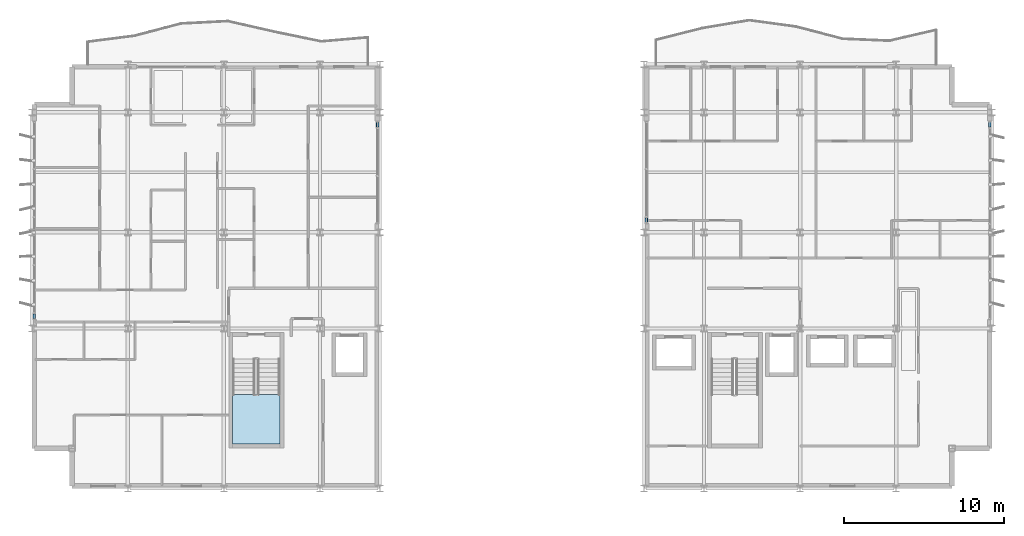
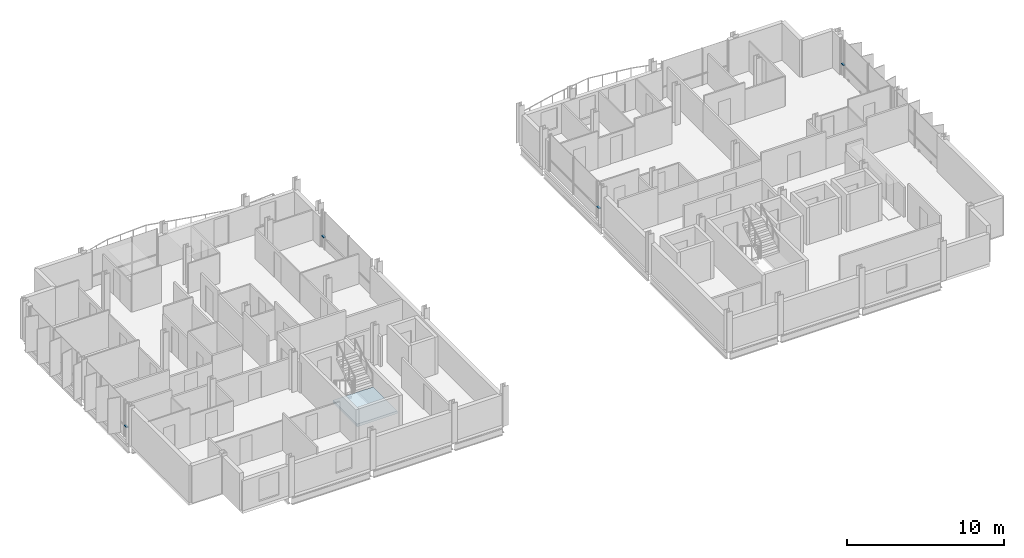
# One storey, part 14 of 28: 4 members, 1 slab, 5 elements without a shape of their own.
"""IFC4 building model written with IfcOpenShell, lengths in metres."""

from ifc_helpers import new_model, si_unit, direction, frame, origin, origin_2d, place, context, subcontext, project, spatial, polyline, hollow_rectangle, outline, extrude, material, layer, layer_set, material_profile, profile_set, type_object, element, aggregate, save


model = new_model("IFC4")

# Units and contexts
model_context = context("Model", 3, precision=1e-05, world=origin(), true_north=direction((0.0, 1.0)))
body_context = subcontext(model_context, "Body", "Model", "MODEL_VIEW")
ifc_project = project(units=[si_unit("LENGTHUNIT", "METRE"), si_unit("AREAUNIT", "SQUARE_METRE"), si_unit("VOLUMEUNIT", "CUBIC_METRE"), si_unit("PLANEANGLEUNIT", "RADIAN"), si_unit("MASSUNIT", "GRAM", prefix="KILO")], contexts=[model_context])

# Site, building, storey
site_placement = place(None, origin())
site = spatial("IfcSite", under=ifc_project, at=site_placement, CompositionType="ELEMENT")
building_placement = place(site_placement, origin())
building = spatial("IfcBuilding", under=site, at=building_placement, Name="Brevholm Reach", CompositionType="ELEMENT")
storey_placement = place(building_placement, frame((0.0, 0.0, 192.5)))
storey = spatial("IfcBuildingStorey", under=building, at=storey_placement, Name="L58", CompositionType="ELEMENT", Elevation=192.5)

# Curtain wall, member
ifc_material_1 = material(Name="Dark Anodised Aluminium 6063-T6 and Solar-Control Glass", Category="aluminium")
ifc_layer_1 = layer(ifc_material_1, 0.14990234375)
ifc_layer_set_1 = layer_set([ifc_layer_1], Name="Dark Anodised Aluminium 6063-T6 and Solar-Control Glass")
curtain_wall_type_1 = type_object("IfcCurtainWallType", Name="CW-01", PredefinedType="NOTDEFINED", material=ifc_layer_set_1)
curtain_wall_1_placement = place(storey_placement, origin())
curtain_wall_1 = element("IfcCurtainWall", 1, at=curtain_wall_1_placement, inside=storey, type_object=curtain_wall_type_1, Name="L58 Curtain Wall CW-01", PredefinedType="NOTDEFINED")
ifc_material_2 = material(Name="Dark Anodised Aluminium 6063-T6", Category="aluminium")
ifc_material_profile_1 = material_profile(ifc_material_2, hollow_rectangle(XDim=0.06494140625, YDim=0.14990234375, WallThickness=0.0048828125, InnerFilletRadius=0.0048828125, OuterFilletRadius=0.010009765625, at=origin_2d()), Name="RHS 150x65x5")
ifc_profile_set_1 = profile_set([ifc_material_profile_1], Name="Dark Anodised Aluminium 6063-T6")
member_type_1 = type_object("IfcMemberType", Name="CWT-150", PredefinedType="NOTDEFINED", material=ifc_profile_set_1)
member_1_placement = place(storey_placement, frame((0.14990234375, 10.91748046875, 0.89990234375), z_axis=(0.0, -1.0, 0.0), x_axis=(0.0, 0.0, 1.0)))
member_1 = element("IfcMember", 2, at=member_1_placement, type_object=member_type_1, Name="CT-150 Transom 5.1", ObjectType="TRANSOM", PredefinedType="USERDEFINED", context=body_context, shape_type="SweptSolid", body=[
    extrude(hollow_rectangle(XDim=0.06494140625, YDim=0.14990234375, WallThickness=0.0048828125, InnerFilletRadius=0.0048828125, OuterFilletRadius=0.010009765625, at=origin_2d()), origin(), (0.0, 0.0, 1.0), 0.302490234375),
])
aggregate(curtain_wall_1, [member_1])

curtain_wall_2_placement = place(storey_placement, origin())
curtain_wall_2 = element("IfcCurtainWall", 3, at=curtain_wall_2_placement, inside=storey, type_object=curtain_wall_type_1, Name="L58 Curtain Wall CW-01", PredefinedType="NOTDEFINED")
member_2_placement = place(storey_placement, frame((59.85009765625, 22.58251953125, 0.89990234375), z_axis=(0.0, 1.0, 0.0), x_axis=(0.0, 0.0, 1.0)))
member_2 = element("IfcMember", 4, at=member_2_placement, type_object=member_type_1, Name="CT-150 Transom 5.1", ObjectType="TRANSOM", PredefinedType="USERDEFINED", context=body_context, shape_type="SweptSolid", body=[
    extrude(hollow_rectangle(XDim=0.06494140625, YDim=0.14990234375, WallThickness=0.0048828125, InnerFilletRadius=0.0048828125, OuterFilletRadius=0.010009765625, at=origin_2d()), origin(), (0.0, 0.0, 1.0), 0.302490234375),
])
aggregate(curtain_wall_2, [member_2])

ifc_material_3 = material(Name="Dark Anodised Aluminium 6063-T6 and Solar-Control Glass", Category="aluminium")
ifc_layer_2 = layer(ifc_material_3, 0.1650390625)
ifc_layer_set_2 = layer_set([ifc_layer_2], Name="Dark Anodised Aluminium 6063-T6 and Solar-Control Glass")
curtain_wall_type_2 = type_object("IfcCurtainWallType", Name="CW-04", PredefinedType="NOTDEFINED", material=ifc_layer_set_2)
curtain_wall_3_placement = place(storey_placement, origin())
curtain_wall_3 = element("IfcCurtainWall", 5, at=curtain_wall_3_placement, inside=storey, type_object=curtain_wall_type_2, Name="L58 Curtain Wall CW-04", PredefinedType="NOTDEFINED")
ifc_material_4 = material(Name="Dark Anodised Aluminium 6063-T6", Category="aluminium")
ifc_material_profile_2 = material_profile(ifc_material_4, hollow_rectangle(XDim=0.070068359375, YDim=0.1650390625, WallThickness=0.0048828125, InnerFilletRadius=0.0048828125, OuterFilletRadius=0.010009765625, at=origin_2d()), Name="RHS 165x70x5")
ifc_profile_set_2 = profile_set([ifc_material_profile_2], Name="Dark Anodised Aluminium 6063-T6")
member_type_2 = type_object("IfcMemberType", Name="CWT-165", PredefinedType="NOTDEFINED", material=ifc_profile_set_2)
member_3_placement = place(storey_placement, frame((21.60009765625, 22.5849609375, 0.89990234375), z_axis=(0.0, 1.0, 0.0), x_axis=(0.0, 0.0, 1.0)))
member_3 = element("IfcMember", 6, at=member_3_placement, type_object=member_type_2, Name="CT-165 Transom 3.1", ObjectType="TRANSOM", PredefinedType="USERDEFINED", context=body_context, shape_type="SweptSolid", body=[
    extrude(hollow_rectangle(XDim=0.070068359375, YDim=0.1650390625, WallThickness=0.0048828125, InnerFilletRadius=0.0048828125, OuterFilletRadius=0.010009765625, at=origin_2d()), origin(), (0.0, 0.0, 1.0), 0.294921875),
])
aggregate(curtain_wall_3, [member_3])

curtain_wall_4_placement = place(storey_placement, origin())
curtain_wall_4 = element("IfcCurtainWall", 7, at=curtain_wall_4_placement, inside=storey, type_object=curtain_wall_type_2, Name="L58 Curtain Wall CW-04", PredefinedType="NOTDEFINED")
member_4_placement = place(storey_placement, frame((38.39990234375, 16.9150390625, 0.89990234375), z_axis=(0.0, -1.0, 0.0), x_axis=(0.0, 0.0, 1.0)))
member_4 = element("IfcMember", 8, at=member_4_placement, type_object=member_type_2, Name="CT-165 Transom 3.1", ObjectType="TRANSOM", PredefinedType="USERDEFINED", context=body_context, shape_type="SweptSolid", body=[
    extrude(hollow_rectangle(XDim=0.070068359375, YDim=0.1650390625, WallThickness=0.0048828125, InnerFilletRadius=0.0048828125, OuterFilletRadius=0.010009765625, at=origin_2d()), origin(), (0.0, 0.0, 1.0), 0.294921875),
])
aggregate(curtain_wall_4, [member_4])

# Stair, slab
ifc_material_5 = material(Name="Precast Concrete C40/50", Category="concrete")
stair_type = type_object("IfcStairType", Name="STR-ESC-1400", PredefinedType="DOUBLE_RETURN_STAIR", material=ifc_material_5)
stair_placement = place(storey_placement, origin())
stair = element("IfcStair", 9, at=stair_placement, inside=storey, type_object=stair_type, Name="L58 ST-1", PredefinedType="DOUBLE_RETURN_STAIR")
ifc_material_6 = material(Name="Concrete C40/50", Category="concrete")
ifc_layer_3 = layer(ifc_material_6, 0.199951171875)
ifc_layer_set_3 = layer_set([ifc_layer_3], Name="Concrete C40/50")
slab_type = type_object("IfcSlabType", Name="SLB-LND-200", PredefinedType="LANDING", material=ifc_layer_set_3)
slab_placement = place(storey_placement, frame((0.0, 0.0, 1.35009765625)))
slab = element("IfcSlab", 10, at=slab_placement, type_object=slab_type, Name="ST-1 landing 1", PredefinedType="LANDING", context=body_context, shape_type="SweptSolid", body=[
    extrude(outline(polyline([(12.550048828125, 5.860107421875), (12.550048828125, 2.780029296875), (15.5, 2.780029296875), (15.5, 5.860107421875), (12.550048828125, 5.860107421875)])), origin(), (0.0, 0.0, 1.0), 0.199951171875),
])
aggregate(stair, [slab])

save(model, "model.ifc")
